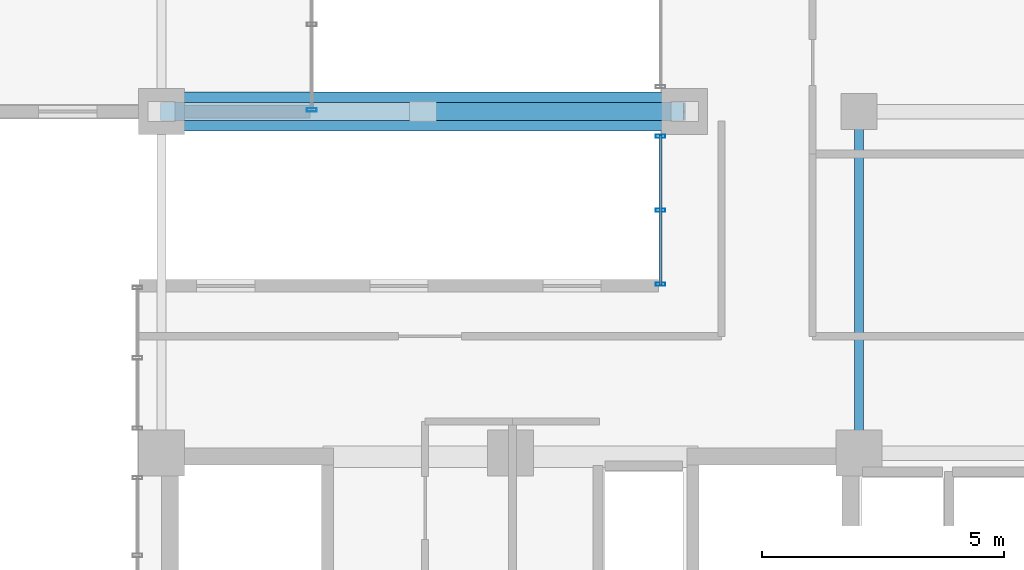
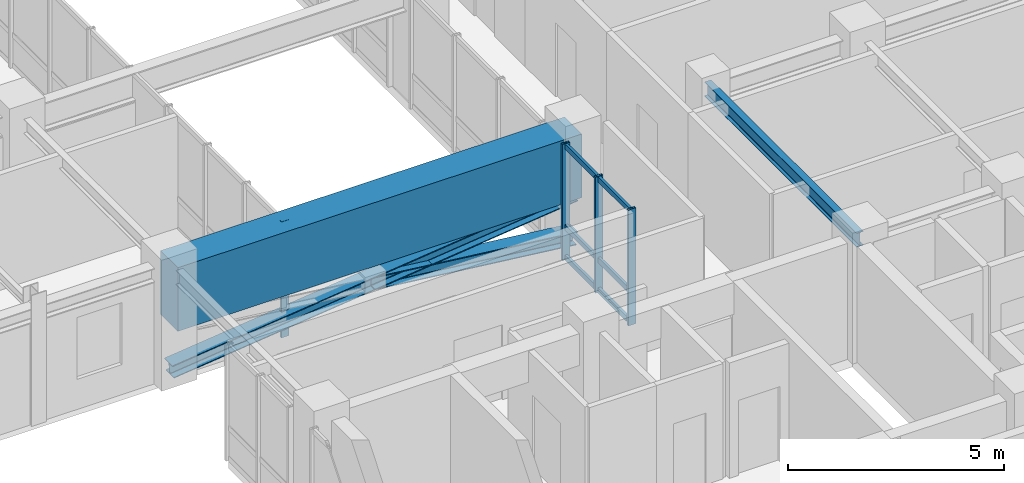
# One storey, part 8 of 23: 9 members, 2 beams, 2 elements without a shape of their own.
"""IFC4 building model written with IfcOpenShell, lengths in metres."""

from ifc_helpers import new_model, si_unit, direction, frame, origin, origin_2d, place, context, subcontext, project, spatial, rectangle, hollow_rectangle, i_section, extrude, source, transform, mapped, material, layer, layer_set, material_profile, profile_set, type_object, element, aggregate, save


model = new_model("IFC4")

# Units and contexts
model_context = context("Model", 3, precision=1e-05, world=origin(), true_north=direction((0.0, 1.0)))
body_context = subcontext(model_context, "Body", "Model", "MODEL_VIEW")
ifc_project = project(units=[si_unit("LENGTHUNIT", "METRE"), si_unit("AREAUNIT", "SQUARE_METRE"), si_unit("VOLUMEUNIT", "CUBIC_METRE"), si_unit("PLANEANGLEUNIT", "RADIAN"), si_unit("MASSUNIT", "GRAM", prefix="KILO")], contexts=[model_context])

# Site, building, storey
site_placement = place(None, origin())
site = spatial("IfcSite", under=ifc_project, at=site_placement, CompositionType="ELEMENT")
building_placement = place(site_placement, origin())
building = spatial("IfcBuilding", under=site, at=building_placement, Name="Kaliganga Portal Commons", CompositionType="ELEMENT")
storey_placement = place(building_placement, frame((0.0, 0.0, 246.199951171875)))
storey = spatial("IfcBuildingStorey", under=building, at=storey_placement, Name="L63", CompositionType="ELEMENT", Elevation=246.199951171875)

# Beams
ifc_material_1 = material(Name="Concrete C70/85", Category="concrete")
ifc_material_profile_1 = material_profile(ifc_material_1, rectangle(XDim=0.800048828125, YDim=1.800048828125, at=origin_2d()), Name="RC 800x1800")
ifc_profile_set_1 = profile_set([ifc_material_profile_1], Name="Concrete C70/85")
beam_type_1 = type_object("IfcBeamType", Name="BM-XFER-1800", PredefinedType="T_BEAM", material=ifc_profile_set_1)
shared_shape_1 = source(origin(), body_context, "Body", "SweptSolid", [
    extrude(rectangle(XDim=0.800048828125, YDim=1.800048828125, at=origin_2d()), origin(), (0.0, 0.0, 1.0), 10.800048828125),
])
beam_1_placement = place(storey_placement, frame((36.0, 21.60009765625, 2.380126953125), z_axis=(1.0, 0.0, 0.0), x_axis=(0.0, 1.0, 0.0)))
element("IfcBeam", 1, at=beam_1_placement, inside=storey, type_object=beam_type_1, Name="BM PORTAL WPT1", PredefinedType="T_BEAM", context=body_context, shape_type="MappedRepresentation", body=[
    mapped(shared_shape_1, transform((0.0, 0.0, 0.0), x_axis=(1.0, 0.0, 0.0), y_axis=(0.0, 1.0, 0.0), z_axis=(0.0, 0.0, 1.0), scale=1.0)),
])
ifc_material_2 = material(Name="Structural steel S355J2", Category="steel")
ifc_material_profile_2 = material_profile(ifc_material_2, i_section(OverallWidth=0.179931640625, OverallDepth=0.39990234375, WebThickness=0.008544921875, FlangeThickness=0.013427734375, FilletRadius=0.02099609375, at=origin_2d()), Name="IPE 400")
ifc_profile_set_2 = profile_set([ifc_material_profile_2], Name="Structural steel S355J2 wide-flange")
beam_type_2 = type_object("IfcBeamType", Name="BM-FLR-400", PredefinedType="BEAM", material=ifc_profile_set_2)
shared_shape_2 = source(origin(), body_context, "Body", "SweptSolid", [
    extrude(i_section(OverallWidth=0.179931640625, OverallDepth=0.39990234375, WebThickness=0.008544921875, FlangeThickness=0.013427734375, FilletRadius=0.02099609375, at=origin_2d()), origin(), (0.0, 0.0, 1.0), 7.050048828125),
])
beam_2_placement = place(storey_placement, frame((50.39990234375, 14.550048828125, 3.080078125), z_axis=(0.0, 1.0, 0.0), x_axis=(-1.0, 0.0, 0.0)))
element("IfcBeam", 2, at=beam_2_placement, inside=storey, type_object=beam_type_2, Name="BM G L63 BNK504", PredefinedType="BEAM", context=body_context, shape_type="MappedRepresentation", body=[
    mapped(shared_shape_2, transform((0.0, 0.0, 0.0), x_axis=(1.0, 0.0, 0.0), y_axis=(0.0, 1.0, 0.0), z_axis=(0.0, 0.0, 1.0), scale=1.0)),
])

# Members
ifc_material_3 = material(Name="Structural steel S460M", Category="steel")
ifc_material_profile_3 = material_profile(ifc_material_3, i_section(OverallWidth=0.373046875, OverallDepth=0.367919921875, WebThickness=0.013916015625, FlangeThickness=0.02392578125, FilletRadius=0.014892578125, at=origin_2d()), Name="HD 360x179")
ifc_profile_set_3 = profile_set([ifc_material_profile_3], Name="Structural steel S460M wide-flange")
member_type_1 = type_object("IfcMemberType", Name="MBR-PORTAL-DIAG", PredefinedType="BRACE", material=ifc_profile_set_3)
shared_shape_3 = source(origin(), body_context, "Body", "SweptSolid", [
    extrude(i_section(OverallWidth=0.373046875, OverallDepth=0.367919921875, WebThickness=0.013916015625, FlangeThickness=0.02392578125, FilletRadius=0.014892578125, at=origin_2d()), origin(), (0.0, 0.0, 1.0), 10.869873046875),
])
member_1_placement = place(storey_placement, frame((36.0, 21.60009765625, 0.199951171875), z_axis=(0.993577335194, 0.0, 0.113155110308), x_axis=(0.0, 1.0, 0.0)))
element("IfcMember", 3, at=member_1_placement, inside=storey, type_object=member_type_1, Name="Wind Portal Bridging Truss Diagonal WPD-1L", PredefinedType="BRACE", context=body_context, shape_type="MappedRepresentation", body=[
    mapped(shared_shape_3, transform((0.0, 0.0, 0.0), x_axis=(1.0, 0.0, 0.0), y_axis=(0.0, 1.0, 0.0), z_axis=(0.0, 0.0, 1.0), scale=1.0)),
])
shared_shape_4 = source(origin(), body_context, "Body", "SweptSolid", [
    extrude(i_section(OverallWidth=0.373046875, OverallDepth=0.367919921875, WebThickness=0.013916015625, FlangeThickness=0.02392578125, FilletRadius=0.014892578125, at=origin_2d()), origin(), (0.0, 0.0, 1.0), 5.43505859375),
])
member_2_placement = place(storey_placement, frame((46.800048828125, 21.60009765625, 0.199951171875), z_axis=(-0.993577622768, 0.0, 0.113152585187), x_axis=(0.0, -1.0, 0.0)))
element("IfcMember", 4, at=member_2_placement, inside=storey, type_object=member_type_1, Name="Wind Portal Split Diagonal WPD-1R1", PredefinedType="BRACE", context=body_context, shape_type="MappedRepresentation", body=[
    mapped(shared_shape_4, transform((0.0, 0.0, 0.0), x_axis=(1.0, 0.0, 0.0), y_axis=(0.0, 1.0, 0.0), z_axis=(0.0, 0.0, 1.0), scale=1.0)),
])

# Curtain wall, members
ifc_material_4 = material(Name="Anodized Aluminium and Laminated Low-E Glass", Category="aluminium")
ifc_layer = layer(ifc_material_4, 0.239990234375)
ifc_layer_set = layer_set([ifc_layer], Name="Anodized Aluminium and Laminated Low-E Glass")
curtain_wall_type = type_object("IfcCurtainWallType", Name="CW-SYS-04", PredefinedType="NOTDEFINED", material=ifc_layer_set)
curtain_wall_1_placement = place(storey_placement, origin())
curtain_wall_1 = element("IfcCurtainWall", 5, at=curtain_wall_1_placement, inside=storey, type_object=curtain_wall_type, Name="CW 04 L63 P2E07S4", PredefinedType="NOTDEFINED")
ifc_material_5 = material(Name="Dark Bronze Anodized Aluminium", Category="aluminium")
ifc_material_profile_4 = material_profile(ifc_material_5, hollow_rectangle(XDim=0.070068359375, YDim=0.14990234375, WallThickness=0.00341796875, at=origin_2d()), Name="ALU TRAN 70x150x3.5")
ifc_profile_set_4 = profile_set([ifc_material_profile_4], Name="Dark Bronze Anodized Aluminium")
member_type_2 = type_object("IfcMemberType", Name="CW-TRN-150", PredefinedType="USERDEFINED", material=ifc_profile_set_4)
shared_shape_5 = source(origin(), body_context, "Body", "SweptSolid", [
    extrude(hollow_rectangle(XDim=0.070068359375, YDim=0.14990234375, WallThickness=0.00341796875, at=origin_2d()), origin(), (0.0, 0.0, 1.0), 3.083984375),
])
member_3_placement = place(storey_placement, frame((46.300048828125, 21.10400390625, 0.06005859375), z_axis=(0.0, -1.0, 0.0), x_axis=(1.0, 0.0, 0.0)))
member_3 = element("IfcMember", 6, at=member_3_placement, type_object=member_type_2, Name="CW:04:L63:P2E07S4 Transom 1", ObjectType="TRANSOM", PredefinedType="USERDEFINED", context=body_context, shape_type="MappedRepresentation", body=[
    mapped(shared_shape_5, transform((0.0, 0.0, 0.0), x_axis=(1.0, 0.0, 0.0), y_axis=(0.0, 1.0, 0.0), z_axis=(0.0, 0.0, 1.0), scale=1.0)),
])
member_4_placement = place(storey_placement, frame((46.300048828125, 21.10400390625, 0.91845703125), z_axis=(0.0, -1.0, 0.0), x_axis=(1.0, 0.0, 0.0)))
member_4 = element("IfcMember", 7, at=member_4_placement, type_object=member_type_2, Name="CW:04:L63:P2E07S4 Transom 2", ObjectType="TRANSOM", PredefinedType="USERDEFINED", context=body_context, shape_type="MappedRepresentation", body=[
    mapped(shared_shape_5, transform((0.0, 0.0, 0.0), x_axis=(1.0, 0.0, 0.0), y_axis=(0.0, 1.0, 0.0), z_axis=(0.0, 0.0, 1.0), scale=1.0)),
])
member_5_placement = place(storey_placement, frame((46.300048828125, 21.10400390625, 3.199951171875), z_axis=(0.0, -1.0, 0.0), x_axis=(1.0, 0.0, 0.0)))
member_5 = element("IfcMember", 8, at=member_5_placement, type_object=member_type_2, Name="CW:04:L63:P2E07S4 Transom 3", ObjectType="TRANSOM", PredefinedType="USERDEFINED", context=body_context, shape_type="MappedRepresentation", body=[
    mapped(shared_shape_5, transform((0.0, 0.0, 0.0), x_axis=(1.0, 0.0, 0.0), y_axis=(0.0, 1.0, 0.0), z_axis=(0.0, 0.0, 1.0), scale=1.0)),
])

# Curtain wall, member
curtain_wall_2_placement = place(storey_placement, origin())
curtain_wall_2 = element("IfcCurtainWall", 9, at=curtain_wall_2_placement, inside=storey, type_object=curtain_wall_type, Name="CW 04 L63 P1E01S1", PredefinedType="NOTDEFINED")
ifc_material_profile_5 = material_profile(ifc_material_5, hollow_rectangle(XDim=0.070068359375, YDim=0.199951171875, WallThickness=0.00390625, at=origin_2d()), Name="ALU MULL 70x200x4")
ifc_profile_set_5 = profile_set([ifc_material_profile_5], Name="Dark Bronze Anodized Aluminium")
member_type_3 = type_object("IfcMemberType", Name="CW-MUL-220", PredefinedType="MULLION", material=ifc_profile_set_5)
shared_shape_6 = source(origin(), body_context, "Body", "SweptSolid", [
    extrude(hollow_rectangle(XDim=0.070068359375, YDim=0.199951171875, WallThickness=0.00390625, at=origin_2d()), origin(), (0.0, 0.0, 1.0), 3.280029296875),
])
member_6_placement = place(storey_placement, frame((39.10009765625, 21.635009765625, 0.0), z_axis=(0.0, 0.0, 1.0), x_axis=(0.0, 1.0, 0.0)))
member_6 = element("IfcMember", 10, at=member_6_placement, type_object=member_type_3, Name="CW:04:L63:P1E01S1 Mullion 00", PredefinedType="MULLION", context=body_context, shape_type="MappedRepresentation", body=[
    mapped(shared_shape_6, transform((0.0, 0.0, 0.0), x_axis=(1.0, 0.0, 0.0), y_axis=(0.0, 1.0, 0.0), z_axis=(0.0, 0.0, 1.0), scale=1.0)),
])
aggregate(curtain_wall_2, [member_6])

# Member
member_7_placement = place(storey_placement, frame((46.300048828125, 21.089111328125, 0.0), z_axis=(0.0, 0.0, 1.0), x_axis=(0.0, -1.0, 0.0)))
member_7 = element("IfcMember", 11, at=member_7_placement, type_object=member_type_3, Name="CW:04:L63:P2E07S4 Mullion 00", PredefinedType="MULLION", context=body_context, shape_type="MappedRepresentation", body=[
    mapped(shared_shape_6, transform((0.0, 0.0, 0.0), x_axis=(1.0, 0.0, 0.0), y_axis=(0.0, 1.0, 0.0), z_axis=(0.0, 0.0, 1.0), scale=1.0)),
])

member_8_placement = place(storey_placement, frame((46.300048828125, 19.56201171875, 0.0), z_axis=(0.0, 0.0, 1.0), x_axis=(0.0, -1.0, 0.0)))
member_8 = element("IfcMember", 12, at=member_8_placement, type_object=member_type_3, Name="CW:04:L63:P2E07S4 Mullion 01", PredefinedType="MULLION", context=body_context, shape_type="MappedRepresentation", body=[
    mapped(shared_shape_6, transform((0.0, 0.0, 0.0), x_axis=(1.0, 0.0, 0.0), y_axis=(0.0, 1.0, 0.0), z_axis=(0.0, 0.0, 1.0), scale=1.0)),
])

member_9_placement = place(storey_placement, frame((46.300048828125, 18.034912109375, 0.0), z_axis=(0.0, 0.0, 1.0), x_axis=(0.0, -1.0, 0.0)))
member_9 = element("IfcMember", 13, at=member_9_placement, type_object=member_type_3, Name="CW:04:L63:P2E07S4 Mullion 02", PredefinedType="MULLION", context=body_context, shape_type="MappedRepresentation", body=[
    mapped(shared_shape_6, transform((0.0, 0.0, 0.0), x_axis=(1.0, 0.0, 0.0), y_axis=(0.0, 1.0, 0.0), z_axis=(0.0, 0.0, 1.0), scale=1.0)),
])

aggregate(curtain_wall_1, [member_7, member_8, member_9, member_3, member_4, member_5])

save(model, "model.ifc")
